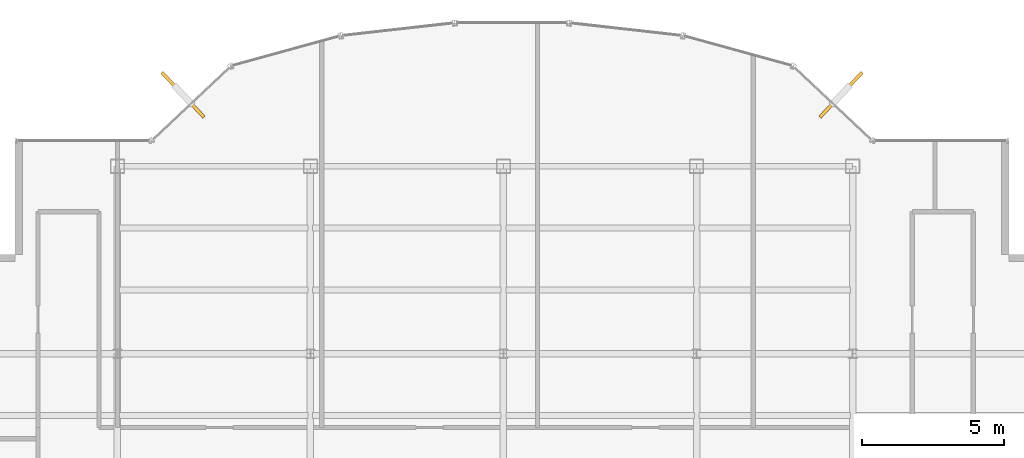
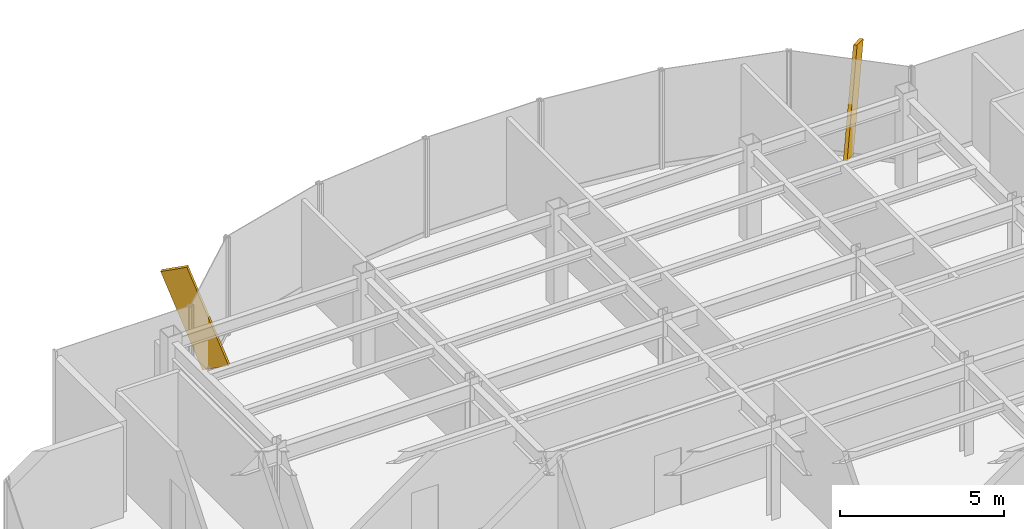
# One storey, part 21 of 22: 2 shading devices.
"""IFC4 building model written with IfcOpenShell, lengths in metres."""

from ifc_helpers import new_model, si_unit, derived_unit, direction, frame, origin, origin_2d, place, context, subcontext, project, spatial, rectangle, extrude, source, transform, mapped, material, type_object, element, save


model = new_model("IFC4")

# Units and contexts
model_context = context("Model", 3, precision=1e-05, world=origin(), true_north=direction((0.0, 1.0)))
body_context = subcontext(model_context, "Body", "Model", "MODEL_VIEW")
ifc_project = project(units=[si_unit("LENGTHUNIT", "METRE"), si_unit("AREAUNIT", "SQUARE_METRE"), si_unit("VOLUMEUNIT", "CUBIC_METRE"), si_unit("PLANEANGLEUNIT", "RADIAN"), si_unit("MASSUNIT", "GRAM", prefix="KILO"), derived_unit("THERMALTRANSMITTANCEUNIT", [(si_unit("POWERUNIT", "WATT"), 1), (si_unit("LENGTHUNIT", "METRE"), -2), (si_unit("THERMODYNAMICTEMPERATUREUNIT", "KELVIN"), -1)])], contexts=[model_context])

# Site, building, storey
site_placement = place(None, origin())
site = spatial("IfcSite", under=ifc_project, at=site_placement, CompositionType="ELEMENT")
building_placement = place(site_placement, origin())
building = spatial("IfcBuilding", under=site, at=building_placement, Name="Skarnbrae Concourse Arena and Tower", CompositionType="ELEMENT")
storey_placement = place(building_placement, frame((0.0, 0.0, 251.5)))
storey = spatial("IfcBuildingStorey", under=building, at=storey_placement, Name="L65", CompositionType="ELEMENT", Elevation=251.5)

# Shading devices
ifc_material = material(Name="Bronze anodised aluminium 6063-T6", Category="aluminium")
shading_device_type = type_object("IfcShadingDeviceType", Name="SHD-BRONZE-FIN-900", PredefinedType="USERDEFINED", material=ifc_material)
shared_shape = source(origin(), body_context, "Body", "SweptSolid", [
    extrude(rectangle(XDim=0.1201171875, YDim=0.89990234375, at=origin_2d()), origin(), (0.0, 0.0, 1.0), 3.64990234375),
])
for number, where, z_axis, x_axis, name in (
    (1, (32.63720703125, 36.435302734375, 0.125244140625), (0.249654525872, 0.265205022033, 0.931310320999), (0.728131751529, -0.685437198009, 0.0), "L65 Outward-leaning bronze shading fin 08"),
    (2, (10.36279296875, 36.435302734375, 0.125244140625), (-0.249654525872, 0.265205022033, 0.931310320999), (0.728131751529, 0.685437198009, 0.0), "L65 Outward-leaning bronze shading fin 14"),
):
    element("IfcShadingDevice", number, at=place(storey_placement, frame(where, z_axis=z_axis, x_axis=x_axis)), inside=storey, type_object=shading_device_type, Name=name, ObjectType="FIN", PredefinedType="USERDEFINED", context=body_context, shape_type="MappedRepresentation", body=[
        mapped(shared_shape, transform((0.0, 0.0, 0.0))),
    ])

save(model, "model.ifc")
